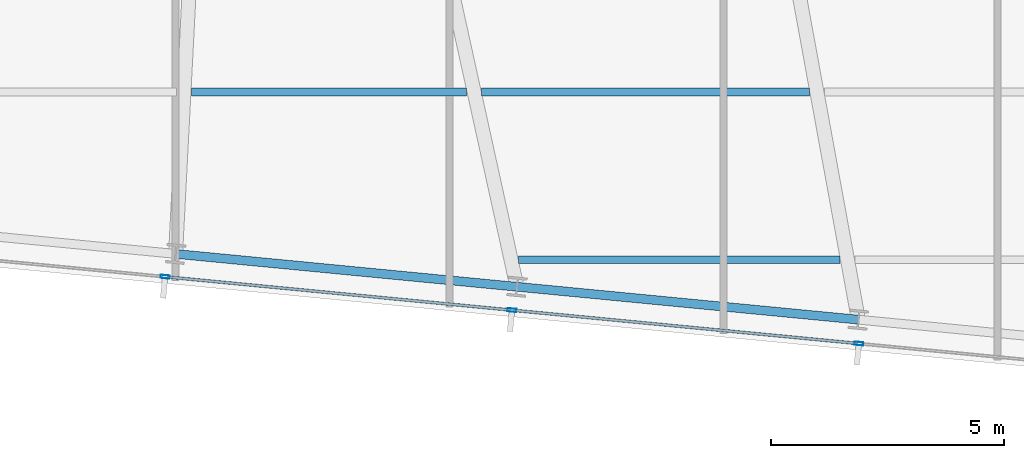
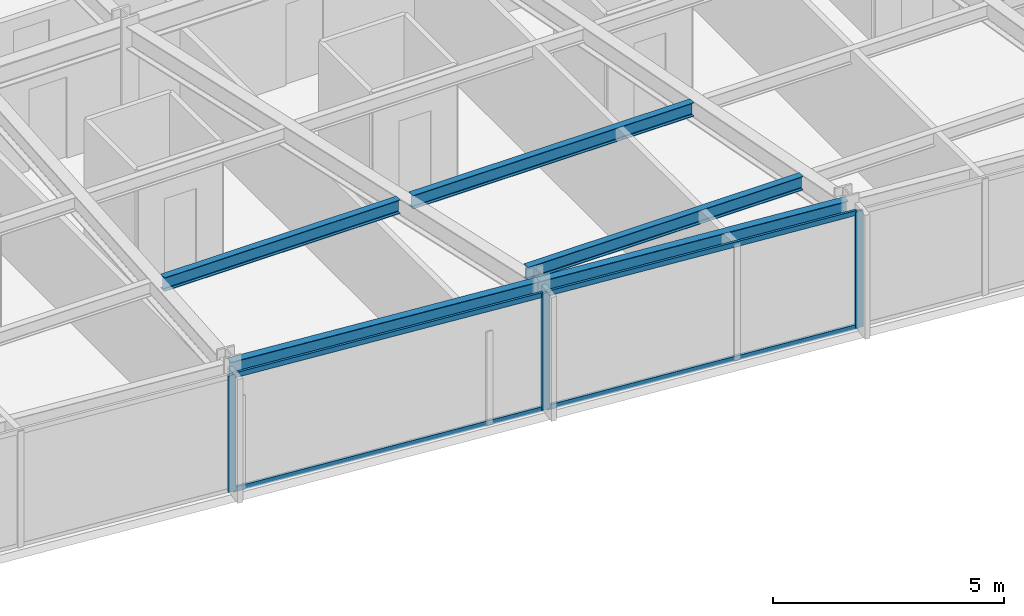
# One storey, part 6 of 37: 7 members, 5 beams, 1 element without a shape of its own.
"""IFC4 building model written with IfcOpenShell, lengths in metres."""

from ifc_helpers import new_model, si_unit, direction, frame, origin, origin_2d, place, context, subcontext, project, spatial, hollow_rectangle, i_section, extrude, material, material_profile, profile_set, type_object, element, aggregate, save


model = new_model("IFC4")

# Units and contexts
model_context = context("Model", 3, precision=1e-05, world=origin(), true_north=direction((0.0, 1.0)))
body_context = subcontext(model_context, "Body", "Model", "MODEL_VIEW")
ifc_project = project(units=[si_unit("LENGTHUNIT", "METRE"), si_unit("AREAUNIT", "SQUARE_METRE"), si_unit("VOLUMEUNIT", "CUBIC_METRE"), si_unit("PLANEANGLEUNIT", "RADIAN"), si_unit("MASSUNIT", "GRAM", prefix="KILO")], contexts=[model_context])

# Site, building, storey
site_placement = place(None, origin())
site = spatial("IfcSite", under=ifc_project, at=site_placement, CompositionType="ELEMENT")
building_placement = place(site_placement, origin())
building = spatial("IfcBuilding", under=site, at=building_placement, Name="Yelkora Congress Tower", CompositionType="ELEMENT")
storey_placement = place(building_placement, frame((0.0, 0.0, 158.89990234375)))
storey = spatial("IfcBuildingStorey", under=building, at=storey_placement, Name="L43", CompositionType="ELEMENT", Elevation=158.89990234375)

# Beams
ifc_material_1 = material(Name="Steel S355J2", Category="steel")
ifc_material_profile_1 = material_profile(ifc_material_1, i_section(OverallWidth=0.169921875, OverallDepth=0.360107421875, WebThickness=0.008056640625, FlangeThickness=0.0126953125, FilletRadius=0.01806640625, at=origin_2d()), Name="IPE 360")
ifc_profile_set_1 = profile_set([ifc_material_profile_1], Name="Steel S355J2")
beam_type_1 = type_object("IfcBeamType", Name="BM-JOIST-IPE360", PredefinedType="JOIST", material=ifc_profile_set_1)
beam_1_placement = place(storey_placement, frame((25.921630859375, 12.8212890625, 2.900146484375), z_axis=(1.0, 0.0, 0.0), x_axis=(0.0, 1.0, 0.0)))
element("IfcBeam", 1, at=beam_1_placement, inside=storey, type_object=beam_type_1, Name="L43 Composite Floor Joist 1", PredefinedType="JOIST", context=body_context, shape_type="SweptSolid", body=[
    extrude(i_section(OverallWidth=0.169921875, OverallDepth=0.360107421875, WebThickness=0.008056640625, FlangeThickness=0.0126953125, FilletRadius=0.01806640625, at=origin_2d()), origin(), (0.0, 0.0, 1.0), 6.896484375),
])
beam_2_placement = place(storey_placement, frame((18.905517578125, 16.421142578125, 2.900146484375), z_axis=(1.0, 0.0, 0.0), x_axis=(0.0, 1.0, 0.0)))
element("IfcBeam", 2, at=beam_2_placement, inside=storey, type_object=beam_type_1, Name="L43 Composite Floor Joist 7", PredefinedType="JOIST", context=body_context, shape_type="SweptSolid", body=[
    extrude(i_section(OverallWidth=0.169921875, OverallDepth=0.360107421875, WebThickness=0.008056640625, FlangeThickness=0.0126953125, FilletRadius=0.01806640625, at=origin_2d()), origin(), (0.0, 0.0, 1.0), 5.904541015625),
])
beam_3_placement = place(storey_placement, frame((25.130126953125, 16.421142578125, 2.900146484375), z_axis=(1.0, 0.0, 0.0), x_axis=(0.0, 1.0, 0.0)))
element("IfcBeam", 3, at=beam_3_placement, inside=storey, type_object=beam_type_1, Name="L43 Composite Floor Joist 8", PredefinedType="JOIST", context=body_context, shape_type="SweptSolid", body=[
    extrude(i_section(OverallWidth=0.169921875, OverallDepth=0.360107421875, WebThickness=0.008056640625, FlangeThickness=0.0126953125, FilletRadius=0.01806640625, at=origin_2d()), origin(), (0.0, 0.0, 1.0), 7.03125),
])
ifc_material_profile_2 = material_profile(ifc_material_1, i_section(OverallWidth=0.18994140625, OverallDepth=0.449951171875, WebThickness=0.009521484375, FlangeThickness=0.0146484375, FilletRadius=0.02099609375, at=origin_2d()), Name="IPE 450")
ifc_profile_set_2 = profile_set([ifc_material_profile_2], Name="Steel S355J2")
beam_type_2 = type_object("IfcBeamType", Name="BM-SPAN-IPE450", PredefinedType="SPANDREL", material=ifc_profile_set_2)
beam_4_placement = place(storey_placement, frame((18.56591796875, 12.947021484375, 2.85498046875), z_axis=(0.99539363353, -0.09587238564, 0.0), x_axis=(0.09587238564, 0.99539363353, 0.0)))
element("IfcBeam", 4, at=beam_4_placement, inside=storey, type_object=beam_type_2, Name="L43 Perimeter Beam 4", PredefinedType="SPANDREL", context=body_context, shape_type="SweptSolid", body=[
    extrude(i_section(OverallWidth=0.18994140625, OverallDepth=0.449951171875, WebThickness=0.009521484375, FlangeThickness=0.0146484375, FilletRadius=0.02099609375, at=origin_2d()), origin(), (0.0, 0.0, 1.0), 7.35693359375),
])
beam_5_placement = place(storey_placement, frame((25.888916015625, 12.24169921875, 2.85498046875), z_axis=(0.995397409467, -0.095833173935, 0.0), x_axis=(0.095833173935, 0.995397409467, 0.0)))
element("IfcBeam", 5, at=beam_5_placement, inside=storey, type_object=beam_type_2, Name="L43 Perimeter Beam 5", PredefinedType="SPANDREL", context=body_context, shape_type="SweptSolid", body=[
    extrude(i_section(OverallWidth=0.18994140625, OverallDepth=0.449951171875, WebThickness=0.009521484375, FlangeThickness=0.0146484375, FilletRadius=0.02099609375, at=origin_2d()), origin(), (0.0, 0.0, 1.0), 7.357421875),
])

# Curtain wall, members
ifc_material_2 = material(Name="Anodised aluminium and insulated glass", Category="aluminium")
curtain_wall_type = type_object("IfcCurtainWallType", Name="CW-SYS-B3", PredefinedType="NOTDEFINED", material=ifc_material_2)
curtain_wall_placement = place(storey_placement, origin())
curtain_wall = element("IfcCurtainWall", 6, at=curtain_wall_placement, inside=storey, type_object=curtain_wall_type, Name="L43 Unitised Curtain Wall 20", PredefinedType="NOTDEFINED")
ifc_material_3 = material(Name="Anodised aluminium 6063-T6", Category="aluminium")
ifc_material_profile_3 = material_profile(ifc_material_3, hollow_rectangle(XDim=0.070068359375, YDim=0.18994140625, WallThickness=0.00390625, at=origin_2d()), Name="ALU 70x190x4")
ifc_profile_set_3 = profile_set([ifc_material_profile_3], Name="Anodised aluminium 6063-T6")
member_type_1 = type_object("IfcMemberType", Name="MEM-ML-B3", PredefinedType="MULLION", material=ifc_profile_set_3)
member_1_placement = place(storey_placement, frame((33.2216796875, 11.0234375, 0.0), z_axis=(0.0, 0.0, 1.0), x_axis=(-0.095844680679, -0.995396301573, 0.0)))
member_1 = element("IfcMember", 7, at=member_1_placement, type_object=member_type_1, Name="CW-B3 mullion 4", PredefinedType="MULLION", context=body_context, shape_type="SweptSolid", body=[
    extrude(hollow_rectangle(XDim=0.070068359375, YDim=0.18994140625, WallThickness=0.00390625, at=origin_2d()), origin(), (0.0, 0.0, 1.0), 3.080078125),
])
member_2_placement = place(storey_placement, frame((25.78173828125, 11.73974609375, 0.0), z_axis=(0.0, 0.0, 1.0), x_axis=(-0.095844680679, -0.995396301573, 0.0)))
member_2 = element("IfcMember", 8, at=member_2_placement, type_object=member_type_1, Name="CW-B3 mullion 5", PredefinedType="MULLION", context=body_context, shape_type="SweptSolid", body=[
    extrude(hollow_rectangle(XDim=0.070068359375, YDim=0.18994140625, WallThickness=0.00390625, at=origin_2d()), origin(), (0.0, 0.0, 1.0), 3.080078125),
])
member_3_placement = place(storey_placement, frame((18.342041015625, 12.4560546875, 0.0), z_axis=(0.0, 0.0, 1.0), x_axis=(-0.095844680679, -0.995396301573, 0.0)))
member_3 = element("IfcMember", 9, at=member_3_placement, type_object=member_type_1, Name="CW-B3 mullion 6", PredefinedType="MULLION", context=body_context, shape_type="SweptSolid", body=[
    extrude(hollow_rectangle(XDim=0.070068359375, YDim=0.18994140625, WallThickness=0.00390625, at=origin_2d()), origin(), (0.0, 0.0, 1.0), 3.080078125),
])
ifc_material_profile_4 = material_profile(ifc_material_3, hollow_rectangle(XDim=0.06005859375, YDim=0.1298828125, WallThickness=0.00390625, at=origin_2d()), Name="ALU 60x130x4")
ifc_profile_set_4 = profile_set([ifc_material_profile_4], Name="Anodised aluminium 6063-T6")
member_type_2 = type_object("IfcMemberType", Name="MEM-TR-B3", PredefinedType="USERDEFINED", material=ifc_profile_set_4)
member_4_placement = place(storey_placement, frame((33.18701171875, 11.02685546875, 0.030029296875), z_axis=(-0.995398934959, 0.095817327669, 0.0), x_axis=(-0.095817327669, -0.995398934959, 0.0)))
member_4 = element("IfcMember", 10, at=member_4_placement, type_object=member_type_2, Name="CW-B3 transom 4.1", ObjectType="TRANSOM", PredefinedType="USERDEFINED", context=body_context, shape_type="SweptSolid", body=[
    extrude(hollow_rectangle(XDim=0.06005859375, YDim=0.1298828125, WallThickness=0.00390625, at=origin_2d()), origin(), (0.0, 0.0, 1.0), 7.404541015625),
])
member_5_placement = place(storey_placement, frame((33.18701171875, 11.02685546875, 3.050048828125), z_axis=(-0.995398934959, 0.095817327669, 0.0), x_axis=(-0.095817327669, -0.995398934959, 0.0)))
member_5 = element("IfcMember", 11, at=member_5_placement, type_object=member_type_2, Name="CW-B3 transom 4.2", ObjectType="TRANSOM", PredefinedType="USERDEFINED", context=body_context, shape_type="SweptSolid", body=[
    extrude(hollow_rectangle(XDim=0.06005859375, YDim=0.1298828125, WallThickness=0.00390625, at=origin_2d()), origin(), (0.0, 0.0, 1.0), 7.404541015625),
])
member_6_placement = place(storey_placement, frame((25.7470703125, 11.7431640625, 0.030029296875), z_axis=(-0.995395789658, 0.095849997036, 0.0), x_axis=(-0.095849997036, -0.995395789658, 0.0)))
member_6 = element("IfcMember", 12, at=member_6_placement, type_object=member_type_2, Name="CW-B3 transom 5.1", ObjectType="TRANSOM", PredefinedType="USERDEFINED", context=body_context, shape_type="SweptSolid", body=[
    extrude(hollow_rectangle(XDim=0.06005859375, YDim=0.1298828125, WallThickness=0.00390625, at=origin_2d()), origin(), (0.0, 0.0, 1.0), 7.404541015625),
])
member_7_placement = place(storey_placement, frame((25.7470703125, 11.7431640625, 3.050048828125), z_axis=(-0.995395789658, 0.095849997036, 0.0), x_axis=(-0.095849997036, -0.995395789658, 0.0)))
member_7 = element("IfcMember", 13, at=member_7_placement, type_object=member_type_2, Name="CW-B3 transom 5.2", ObjectType="TRANSOM", PredefinedType="USERDEFINED", context=body_context, shape_type="SweptSolid", body=[
    extrude(hollow_rectangle(XDim=0.06005859375, YDim=0.1298828125, WallThickness=0.00390625, at=origin_2d()), origin(), (0.0, 0.0, 1.0), 7.404541015625),
])
aggregate(curtain_wall, [member_1, member_2, member_3, member_4, member_5, member_6, member_7])

save(model, "model.ifc")
